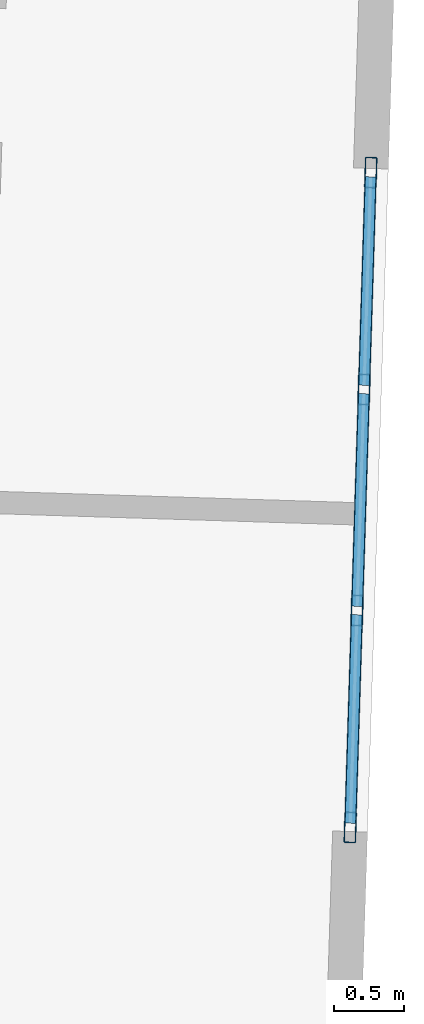
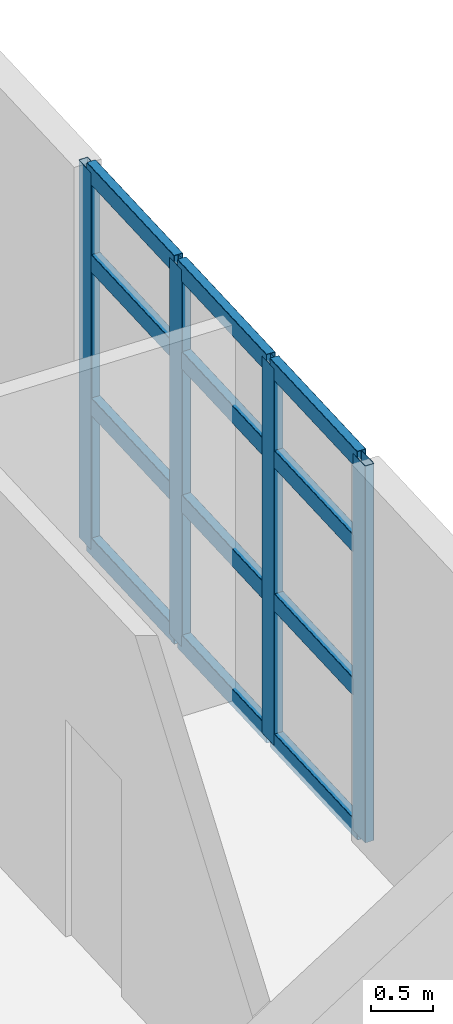
# One storey, part 7 of 14: 16 members, 1 element without a shape of its own.
"""IFC4 building model written with IfcOpenShell, lengths in metres."""

import ifcopenshell
import ifcopenshell.guid

model = None  # the IFC model being written
_history = None  # IfcOwnerHistory: only IFC2X3 demands one
_inside = {}  # id of a spatial element -> (the spatial element, [elements in it])
_under = {}  # id of a project, library or spatial element -> (it, [spatial elements below it])
_declared = {}  # id of a project -> (the project, [libraries it declares])
_typed = {}  # id of a type object -> (the type object, [elements of that type])
_made_of = {}  # id of a material, layer set ... -> (it, [elements and type objects made of it])


def new_model(schema):
    """Start an empty IFC model of exactly this schema.

    Asked for "IFC4X3", IfcOpenShell would pick the latest addendum, in which some entities
    have other attributes; the version numbers below select the first issue.
    IFC2X3 requires an IfcOwnerHistory on every rooted entity: one is made here for all.
    """
    global model, _history
    if schema == "IFC4X3":
        model = ifcopenshell.file(schema_version=(4, 3, 0, 0))
    else:
        model = ifcopenshell.file(schema=schema)
    _inside.clear()
    _under.clear()
    _declared.clear()
    _typed.clear()
    _made_of.clear()
    _history = None
    if model.schema == "IFC2X3":
        org = make("IfcOrganization", Name="unknown")
        user = make(
            "IfcPersonAndOrganization",
            ThePerson=make("IfcPerson", FamilyName="unknown"),
            TheOrganization=org,
        )
        app = make(
            "IfcApplication",
            ApplicationDeveloper=org,
            Version="unknown",
            ApplicationFullName="unknown",
            ApplicationIdentifier="unknown",
        )
        _history = make(
            "IfcOwnerHistory",
            OwningUser=user,
            OwningApplication=app,
            ChangeAction="ADDED",
            CreationDate=0,
        )
    return model


def make(cls, **values):
    """One entity of the class cls with the attributes given. An attribute that is None is left unset."""
    return model.create_entity(
        cls, **{name: value for name, value in values.items() if value is not None}
    )


def rooted(cls, **values):
    """An entity with a GlobalId (a new one), such as an element, a storey or a relation."""
    return make(cls, GlobalId=ifcopenshell.guid.new(), OwnerHistory=_history, **values)


def si_unit(unit_type, name, prefix=None):
    """IfcSIUnit, for example si_unit("LENGTHUNIT", "METRE", prefix="MILLI")."""
    return make("IfcSIUnit", UnitType=unit_type, Prefix=prefix, Name=name)


def assignment(units):
    """IfcUnitAssignment: the units of a project."""
    return None if units is None else make("IfcUnitAssignment", Units=units)


def point(xyz):
    """IfcCartesianPoint."""
    return None if xyz is None else make("IfcCartesianPoint", Coordinates=xyz)


def direction(xyz):
    """IfcDirection."""
    return None if xyz is None else make("IfcDirection", DirectionRatios=xyz)


def frame(location, z_axis=None, x_axis=None):
    """IfcAxis2Placement3D, a coordinate frame: its origin and axes. An axis left out is left unset."""
    return make(
        "IfcAxis2Placement3D",
        Location=point(location),
        Axis=direction(z_axis),
        RefDirection=direction(x_axis),
    )


def frame_2d(location, x_axis=None):
    """IfcAxis2Placement2D, a coordinate frame in the plane: its origin and x axis."""
    return make(
        "IfcAxis2Placement2D", Location=point(location), RefDirection=direction(x_axis)
    )


def origin():
    """The frame at (0, 0, 0) with its axes left unset."""
    return frame((0.0, 0.0, 0.0))


def origin_2d():
    """The frame at (0, 0) in the plane with its x axis left unset."""
    return frame_2d((0.0, 0.0))


def place(relative_to, where):
    """IfcLocalPlacement: puts the frame where relative to a parent placement (None: the world)."""
    return make(
        "IfcLocalPlacement", PlacementRelTo=relative_to, RelativePlacement=where
    )


def context(
    kind, dimensions, precision=None, world=None, true_north=None, identifier=None
):
    """IfcGeometricRepresentationContext, for example the 3D "Model" context."""
    return make(
        "IfcGeometricRepresentationContext",
        ContextIdentifier=identifier,
        ContextType=kind,
        CoordinateSpaceDimension=dimensions,
        Precision=precision,
        WorldCoordinateSystem=world,
        TrueNorth=true_north,
    )


def subcontext(parent, identifier, kind, view, scale=None):
    """IfcGeometricRepresentationSubContext, for example "Body" below "Model"."""
    return make(
        "IfcGeometricRepresentationSubContext",
        ContextIdentifier=identifier,
        ContextType=kind,
        ParentContext=parent,
        TargetScale=scale,
        TargetView=view,
    )


def project(units=None, contexts=None):
    """IfcProject with its units and contexts."""
    return rooted(
        "IfcProject",
        Name="project",
        RepresentationContexts=contexts,
        UnitsInContext=assignment(units),
    )


def spatial(cls, under=None, at=None, **own):
    """A site, building, storey or space (cls), placed at a placement, below another one or the project."""
    s = rooted(cls, ObjectPlacement=at, **own)
    if under is not None:
        _under.setdefault(under.id(), (under, []))[1].append(s)
    return s


def profile(cls, at=None, kind="AREA", **sizes):
    """A parametric profile (cls). Its sizes go by their IFC names, for example OverallWidth=200.0."""
    return make(cls, ProfileType=kind, Position=at, **sizes)


def hollow_rectangle(**sizes):
    """IfcRectangleHollowProfileDef."""
    return profile("IfcRectangleHollowProfileDef", **sizes)


def extrude(swept, where, along, depth):
    """IfcExtrudedAreaSolid: the profile swept, set in the frame where, extruded along a direction by depth."""
    return make(
        "IfcExtrudedAreaSolid",
        SweptArea=swept,
        Position=where,
        ExtrudedDirection=direction(along),
        Depth=depth,
    )


def shape(context_of_items, identifier, shape_type, items):
    """IfcShapeRepresentation: the items that make up one representation, for example the "Body"."""
    return make(
        "IfcShapeRepresentation",
        ContextOfItems=context_of_items,
        RepresentationIdentifier=identifier,
        RepresentationType=shape_type,
        Items=items,
    )


def material(Name=None, Category=None):
    """IfcMaterial."""
    return make("IfcMaterial", Name=Name, Category=Category)


def layer(
    of_material, thickness, ventilated=None, Name=None, Category=None, Priority=None
):
    """IfcMaterialLayer: one layer of a wall or slab, of a material (None: an air gap)."""
    return make(
        "IfcMaterialLayer",
        Material=of_material,
        LayerThickness=thickness,
        IsVentilated=ventilated,
        Name=Name,
        Category=Category,
        Priority=Priority,
    )


def layer_set(layers, Name=None):
    """IfcMaterialLayerSet."""
    return make("IfcMaterialLayerSet", MaterialLayers=layers, LayerSetName=Name)


def material_profile(
    of_material, cross_section, Name=None, Category=None, Priority=None
):
    """IfcMaterialProfile: a cross section and its material."""
    return make(
        "IfcMaterialProfile",
        Name=Name,
        Material=of_material,
        Profile=cross_section,
        Priority=Priority,
        Category=Category,
    )


def profile_set(profiles, Name=None, composite=None):
    """IfcMaterialProfileSet."""
    return make(
        "IfcMaterialProfileSet",
        Name=Name,
        MaterialProfiles=profiles,
        CompositeProfile=composite,
    )


def made_of(thing, what):
    """Note that an element or type object is made of a material, layer set ...; save() writes the relation."""
    if what is not None:
        _made_of.setdefault(what.id(), (what, []))[1].append(thing)
    return thing


def type_object(cls, material=None, **own):
    """A type object (cls), such as IfcWallType, which elements share."""
    return made_of(rooted(cls, **own), material)


def element(
    cls,
    number,
    at=None,
    inside=None,
    cuts=None,
    type_object=None,
    material=None,
    context=None,
    identifier="Body",
    shape_type=None,
    held_by="IfcProductDefinitionShape",
    body=None,
    shapes=None,
    **own,
):
    """One element of the class cls, such as IfcWall. Its Tag is "e" and its number.

    at: its placement. inside: the storey or other place that contains it. cuts: it is an
    opening in that element (IfcRelVoidsElement). A single representation is given by context,
    identifier, shape_type and body (its items); several are given by shapes. held_by: the class
    of the entity that holds the representations. save() writes the other relations.
    """
    e = rooted(cls, Tag="e%d" % number, ObjectPlacement=at, **own)
    if body is not None:
        shapes = [shape(context, identifier, shape_type, body)]
    if shapes is not None:
        e.Representation = make(held_by, Representations=shapes)
    if inside is not None:
        _inside.setdefault(inside.id(), (inside, []))[1].append(e)
    if cuts is not None:
        rooted(
            "IfcRelVoidsElement", RelatingBuildingElement=cuts, RelatedOpeningElement=e
        )
    if type_object is not None:
        _typed.setdefault(type_object.id(), (type_object, []))[1].append(e)
    return made_of(e, material)


def aggregate(whole, parts):
    """IfcRelAggregates: a whole, such as a stair, and the parts it consists of."""
    return rooted("IfcRelAggregates", RelatingObject=whole, RelatedObjects=parts)


def save(model, path):
    """Write the relations noted so far, then the file.

    IfcRelAggregates (storeys below a building ...), IfcRelContainedInSpatialStructure (elements
    in a storey), IfcRelDefinesByType, IfcRelAssociatesMaterial and IfcRelDeclares: one each for
    every whole, place, type object, material and project.
    """
    for whole, parts in _under.values():
        aggregate(whole, parts)
    for where, things in _inside.values():
        rooted(
            "IfcRelContainedInSpatialStructure",
            RelatedElements=things,
            RelatingStructure=where,
        )
    for kind, things in _typed.values():
        rooted("IfcRelDefinesByType", RelatedObjects=things, RelatingType=kind)
    for what, things in _made_of.values():
        rooted("IfcRelAssociatesMaterial", RelatedObjects=things, RelatingMaterial=what)
    for by, libraries in _declared.values():
        rooted("IfcRelDeclares", RelatingContext=by, RelatedDefinitions=libraries)
    model.write(path)


model = new_model("IFC4")

# Units and contexts
model_context = context("Model", 3, precision=1e-05, world=origin(), true_north=direction((0.0, 1.0)))
body_context = subcontext(model_context, "Body", "Model", "MODEL_VIEW")
ifc_project = project(units=[si_unit("LENGTHUNIT", "METRE"), si_unit("AREAUNIT", "SQUARE_METRE"), si_unit("VOLUMEUNIT", "CUBIC_METRE"), si_unit("PLANEANGLEUNIT", "RADIAN"), si_unit("MASSUNIT", "GRAM", prefix="KILO")], contexts=[model_context])

# Site, building, storey
site_placement = place(None, origin())
site = spatial("IfcSite", under=ifc_project, at=site_placement, CompositionType="ELEMENT")
building_placement = place(site_placement, origin())
building = spatial("IfcBuilding", under=site, at=building_placement, Name="Qingluan Cross Belvedere", CompositionType="ELEMENT")
storey_placement = place(building_placement, frame((0.0, 0.0, 317.39990234375)))
storey = spatial("IfcBuildingStorey", under=building, at=storey_placement, Name="L78", CompositionType="ELEMENT", Elevation=317.39990234375)

# Curtain wall, members
ifc_material_1 = material(Name="Thermally broken aluminium and Low-E glass", Category="aluminium")
ifc_layer = layer(ifc_material_1, 0.219970703125, Name="ObservationCW_BelvedereDeck")
ifc_layer_set = layer_set([ifc_layer], Name="Thermally broken aluminium and Low-E glass")
curtain_wall_type = type_object("IfcCurtainWallType", Name="ObservationCW_BelvedereDeck", PredefinedType="USERDEFINED", material=ifc_layer_set)
curtain_wall_placement = place(storey_placement, origin())
curtain_wall = element("IfcCurtainWall", 1, at=curtain_wall_placement, inside=storey, type_object=curtain_wall_type, Name="ObservationCW_BelvedereDeck run env:cw:L78:E", ObjectType="OBSERVATION GLAZING WALL", PredefinedType="USERDEFINED")
ifc_material_2 = material(Name="Aluminium alloy 6063-T6", Category="aluminium")
ifc_material_profile_1 = material_profile(ifc_material_2, hollow_rectangle(XDim=0.0849609375, YDim=0.219970703125, WallThickness=0.0048828125, InnerFilletRadius=0.0048828125, OuterFilletRadius=0.010009765625, at=origin_2d()), Name="CWM220x85x5")
ifc_profile_set_1 = profile_set([ifc_material_profile_1], Name="Aluminium alloy 6063-T6")
member_type_1 = type_object("IfcMemberType", Name="CWMullion_220", PredefinedType="MULLION", material=ifc_profile_set_1)
member_1_placement = place(storey_placement, frame((17.49755859375, -2.89892578125, 0.0), z_axis=(0.0, 0.0, 1.0), x_axis=(-0.999506480476, 0.031413301117, 0.0)))
member_1 = element("IfcMember", 2, at=member_1_placement, type_object=member_type_1, Name="CW-C3 mullion 1", PredefinedType="MULLION", context=body_context, shape_type="SweptSolid", body=[
    extrude(hollow_rectangle(XDim=0.0849609375, YDim=0.219970703125, WallThickness=0.0048828125, InnerFilletRadius=0.0048828125, OuterFilletRadius=0.010009765625, at=origin_2d()), origin(), (0.0, 0.0, 1.0), 3.72998046875),
])
member_2_placement = place(storey_placement, frame((17.54638671875, -1.344482421875, 0.0), z_axis=(0.0, 0.0, 1.0), x_axis=(-0.999506480476, 0.031413301117, 0.0)))
member_2 = element("IfcMember", 3, at=member_2_placement, type_object=member_type_1, Name="CW-C3 mullion 2", PredefinedType="MULLION", context=body_context, shape_type="SweptSolid", body=[
    extrude(hollow_rectangle(XDim=0.0849609375, YDim=0.219970703125, WallThickness=0.0048828125, InnerFilletRadius=0.0048828125, OuterFilletRadius=0.010009765625, at=origin_2d()), origin(), (0.0, 0.0, 1.0), 3.72998046875),
])
member_3_placement = place(storey_placement, frame((17.59619140625, 0.239990234375, 0.0), z_axis=(0.0, 0.0, 1.0), x_axis=(-0.999506480476, 0.031413301117, 0.0)))
member_3 = element("IfcMember", 4, at=member_3_placement, type_object=member_type_1, Name="CW-C3 mullion 3", PredefinedType="MULLION", context=body_context, shape_type="SweptSolid", body=[
    extrude(hollow_rectangle(XDim=0.0849609375, YDim=0.219970703125, WallThickness=0.0048828125, InnerFilletRadius=0.0048828125, OuterFilletRadius=0.010009765625, at=origin_2d()), origin(), (0.0, 0.0, 1.0), 3.72998046875),
])
member_4_placement = place(storey_placement, frame((17.64501953125, 1.794677734375, 0.0), z_axis=(0.0, 0.0, 1.0), x_axis=(-0.999506480476, 0.031413301117, 0.0)))
member_4 = element("IfcMember", 5, at=member_4_placement, type_object=member_type_1, Name="CW-C3 mullion 4", PredefinedType="MULLION", context=body_context, shape_type="SweptSolid", body=[
    extrude(hollow_rectangle(XDim=0.0849609375, YDim=0.219970703125, WallThickness=0.0048828125, InnerFilletRadius=0.0048828125, OuterFilletRadius=0.010009765625, at=origin_2d()), origin(), (0.0, 0.0, 1.0), 3.72998046875),
])
ifc_material_3 = material(Name="Aluminium alloy 6063-T6", Category="aluminium")
ifc_material_profile_2 = material_profile(ifc_material_3, hollow_rectangle(XDim=0.0849609375, YDim=0.179931640625, WallThickness=0.00390625, InnerFilletRadius=0.00390625, OuterFilletRadius=0.008056640625, at=origin_2d()), Name="CWT180x85x4")
ifc_profile_set_2 = profile_set([ifc_material_profile_2], Name="Aluminium alloy 6063-T6")
member_type_2 = type_object("IfcMemberType", Name="CWTransom_180", PredefinedType="USERDEFINED", material=ifc_profile_set_2)
member_5_placement = place(storey_placement, frame((17.49853515625, -2.869140625, 0.030029296875), z_axis=(0.031346887388, 0.999508565572, 0.0), x_axis=(-0.999508565572, 0.031346887388, 0.0)))
member_5 = element("IfcMember", 6, at=member_5_placement, type_object=member_type_2, Name="CW-C3 transom 1.1", ObjectType="TRANSOM", PredefinedType="USERDEFINED", context=body_context, shape_type="SweptSolid", body=[
    extrude(hollow_rectangle(XDim=0.0849609375, YDim=0.179931640625, WallThickness=0.00390625, InnerFilletRadius=0.00390625, OuterFilletRadius=0.008056640625, at=origin_2d()), origin(), (0.0, 0.0, 1.0), 1.495361328125),
])
member_6_placement = place(storey_placement, frame((17.49853515625, -2.869140625, 1.4169921875), z_axis=(0.031346887388, 0.999508565572, 0.0), x_axis=(-0.999508565572, 0.031346887388, 0.0)))
member_6 = element("IfcMember", 7, at=member_6_placement, type_object=member_type_2, Name="CW-C3 transom 1.2", ObjectType="TRANSOM", PredefinedType="USERDEFINED", context=body_context, shape_type="SweptSolid", body=[
    extrude(hollow_rectangle(XDim=0.0849609375, YDim=0.179931640625, WallThickness=0.00390625, InnerFilletRadius=0.00390625, OuterFilletRadius=0.008056640625, at=origin_2d()), origin(), (0.0, 0.0, 1.0), 1.495361328125),
])
member_7_placement = place(storey_placement, frame((17.49853515625, -2.869140625, 2.835205078125), z_axis=(0.031346887388, 0.999508565572, 0.0), x_axis=(-0.999508565572, 0.031346887388, 0.0)))
member_7 = element("IfcMember", 8, at=member_7_placement, type_object=member_type_2, Name="CW-C3 transom 1.3", ObjectType="TRANSOM", PredefinedType="USERDEFINED", context=body_context, shape_type="SweptSolid", body=[
    extrude(hollow_rectangle(XDim=0.0849609375, YDim=0.179931640625, WallThickness=0.00390625, InnerFilletRadius=0.00390625, OuterFilletRadius=0.008056640625, at=origin_2d()), origin(), (0.0, 0.0, 1.0), 1.495361328125),
])
member_8_placement = place(storey_placement, frame((17.49853515625, -2.869140625, 3.7001953125), z_axis=(0.031346887388, 0.999508565572, 0.0), x_axis=(-0.999508565572, 0.031346887388, 0.0)))
member_8 = element("IfcMember", 9, at=member_8_placement, type_object=member_type_2, Name="CW-C3 transom 1.4", ObjectType="TRANSOM", PredefinedType="USERDEFINED", context=body_context, shape_type="SweptSolid", body=[
    extrude(hollow_rectangle(XDim=0.0849609375, YDim=0.179931640625, WallThickness=0.00390625, InnerFilletRadius=0.00390625, OuterFilletRadius=0.008056640625, at=origin_2d()), origin(), (0.0, 0.0, 1.0), 1.495361328125),
])
member_9_placement = place(storey_placement, frame((17.54736328125, -1.314453125, 0.030029296875), z_axis=(0.031374680962, 0.999507693514, 0.0), x_axis=(-0.999507693514, 0.031374680962, 0.0)))
member_9 = element("IfcMember", 10, at=member_9_placement, type_object=member_type_2, Name="CW-C3 transom 2.1", ObjectType="TRANSOM", PredefinedType="USERDEFINED", context=body_context, shape_type="SweptSolid", body=[
    extrude(hollow_rectangle(XDim=0.0849609375, YDim=0.179931640625, WallThickness=0.00390625, InnerFilletRadius=0.00390625, OuterFilletRadius=0.008056640625, at=origin_2d()), origin(), (0.0, 0.0, 1.0), 1.525146484375),
])
member_10_placement = place(storey_placement, frame((17.54736328125, -1.314453125, 1.4169921875), z_axis=(0.031374680962, 0.999507693514, 0.0), x_axis=(-0.999507693514, 0.031374680962, 0.0)))
member_10 = element("IfcMember", 11, at=member_10_placement, type_object=member_type_2, Name="CW-C3 transom 2.2", ObjectType="TRANSOM", PredefinedType="USERDEFINED", context=body_context, shape_type="SweptSolid", body=[
    extrude(hollow_rectangle(XDim=0.0849609375, YDim=0.179931640625, WallThickness=0.00390625, InnerFilletRadius=0.00390625, OuterFilletRadius=0.008056640625, at=origin_2d()), origin(), (0.0, 0.0, 1.0), 1.525146484375),
])
member_11_placement = place(storey_placement, frame((17.54736328125, -1.314453125, 2.835205078125), z_axis=(0.031374680962, 0.999507693514, 0.0), x_axis=(-0.999507693514, 0.031374680962, 0.0)))
member_11 = element("IfcMember", 12, at=member_11_placement, type_object=member_type_2, Name="CW-C3 transom 2.3", ObjectType="TRANSOM", PredefinedType="USERDEFINED", context=body_context, shape_type="SweptSolid", body=[
    extrude(hollow_rectangle(XDim=0.0849609375, YDim=0.179931640625, WallThickness=0.00390625, InnerFilletRadius=0.00390625, OuterFilletRadius=0.008056640625, at=origin_2d()), origin(), (0.0, 0.0, 1.0), 1.525146484375),
])
member_12_placement = place(storey_placement, frame((17.54736328125, -1.314453125, 3.7001953125), z_axis=(0.031374680962, 0.999507693514, 0.0), x_axis=(-0.999507693514, 0.031374680962, 0.0)))
member_12 = element("IfcMember", 13, at=member_12_placement, type_object=member_type_2, Name="CW-C3 transom 2.4", ObjectType="TRANSOM", PredefinedType="USERDEFINED", context=body_context, shape_type="SweptSolid", body=[
    extrude(hollow_rectangle(XDim=0.0849609375, YDim=0.179931640625, WallThickness=0.00390625, InnerFilletRadius=0.00390625, OuterFilletRadius=0.008056640625, at=origin_2d()), origin(), (0.0, 0.0, 1.0), 1.525146484375),
])
member_13_placement = place(storey_placement, frame((17.59716796875, 0.27001953125, 0.030029296875), z_axis=(0.031346887388, 0.999508565572, 0.0), x_axis=(-0.999508565572, 0.031346887388, 0.0)))
member_13 = element("IfcMember", 14, at=member_13_placement, type_object=member_type_2, Name="CW-C3 transom 3.1", ObjectType="TRANSOM", PredefinedType="USERDEFINED", context=body_context, shape_type="SweptSolid", body=[
    extrude(hollow_rectangle(XDim=0.0849609375, YDim=0.179931640625, WallThickness=0.00390625, InnerFilletRadius=0.00390625, OuterFilletRadius=0.008056640625, at=origin_2d()), origin(), (0.0, 0.0, 1.0), 1.495361328125),
])
member_14_placement = place(storey_placement, frame((17.59716796875, 0.27001953125, 1.4169921875), z_axis=(0.031346887388, 0.999508565572, 0.0), x_axis=(-0.999508565572, 0.031346887388, 0.0)))
member_14 = element("IfcMember", 15, at=member_14_placement, type_object=member_type_2, Name="CW-C3 transom 3.2", ObjectType="TRANSOM", PredefinedType="USERDEFINED", context=body_context, shape_type="SweptSolid", body=[
    extrude(hollow_rectangle(XDim=0.0849609375, YDim=0.179931640625, WallThickness=0.00390625, InnerFilletRadius=0.00390625, OuterFilletRadius=0.008056640625, at=origin_2d()), origin(), (0.0, 0.0, 1.0), 1.495361328125),
])
member_15_placement = place(storey_placement, frame((17.59716796875, 0.27001953125, 2.835205078125), z_axis=(0.031346887388, 0.999508565572, 0.0), x_axis=(-0.999508565572, 0.031346887388, 0.0)))
member_15 = element("IfcMember", 16, at=member_15_placement, type_object=member_type_2, Name="CW-C3 transom 3.3", ObjectType="TRANSOM", PredefinedType="USERDEFINED", context=body_context, shape_type="SweptSolid", body=[
    extrude(hollow_rectangle(XDim=0.0849609375, YDim=0.179931640625, WallThickness=0.00390625, InnerFilletRadius=0.00390625, OuterFilletRadius=0.008056640625, at=origin_2d()), origin(), (0.0, 0.0, 1.0), 1.495361328125),
])
member_16_placement = place(storey_placement, frame((17.59716796875, 0.27001953125, 3.7001953125), z_axis=(0.031346887388, 0.999508565572, 0.0), x_axis=(-0.999508565572, 0.031346887388, 0.0)))
member_16 = element("IfcMember", 17, at=member_16_placement, type_object=member_type_2, Name="CW-C3 transom 3.4", ObjectType="TRANSOM", PredefinedType="USERDEFINED", context=body_context, shape_type="SweptSolid", body=[
    extrude(hollow_rectangle(XDim=0.0849609375, YDim=0.179931640625, WallThickness=0.00390625, InnerFilletRadius=0.00390625, OuterFilletRadius=0.008056640625, at=origin_2d()), origin(), (0.0, 0.0, 1.0), 1.495361328125),
])
aggregate(curtain_wall, [member_1, member_2, member_3, member_4, member_5, member_6, member_7, member_8, member_9, member_10, member_11, member_12, member_13, member_14, member_15, member_16])

save(model, "model.ifc")
